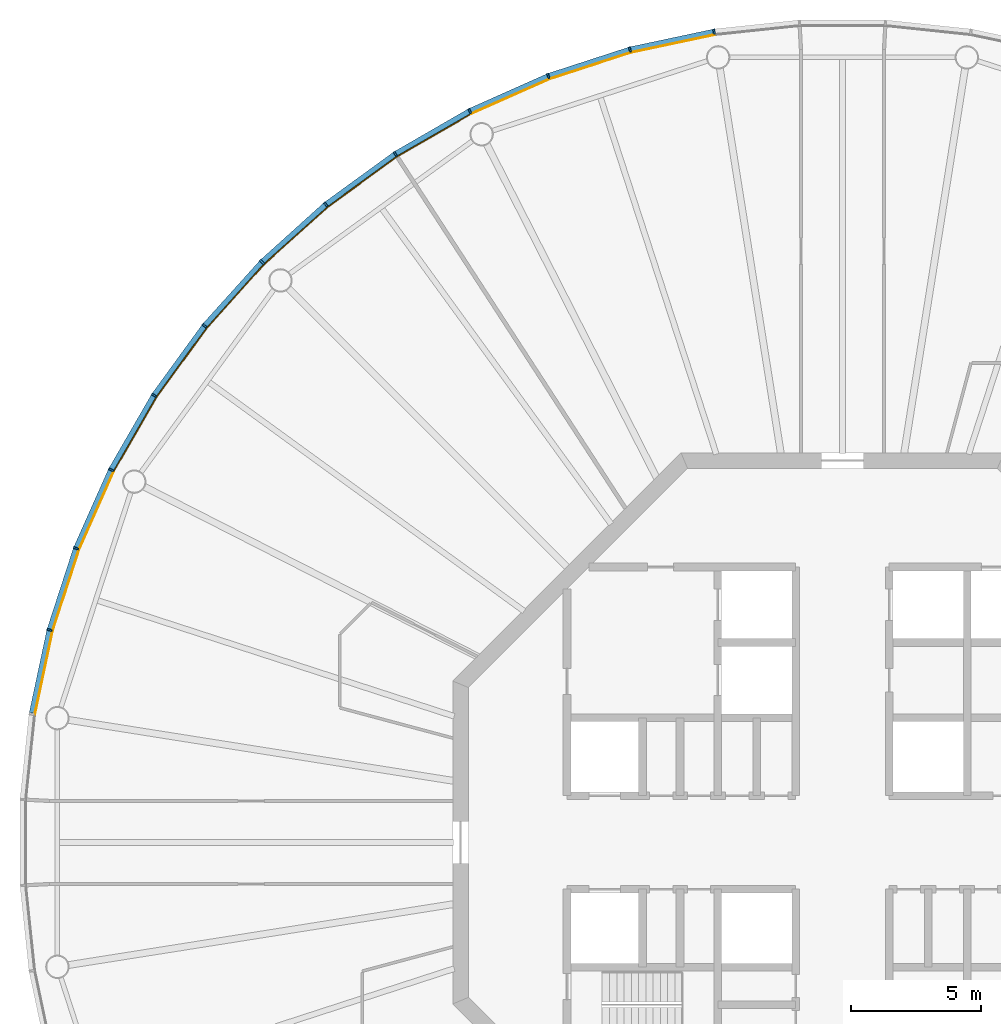
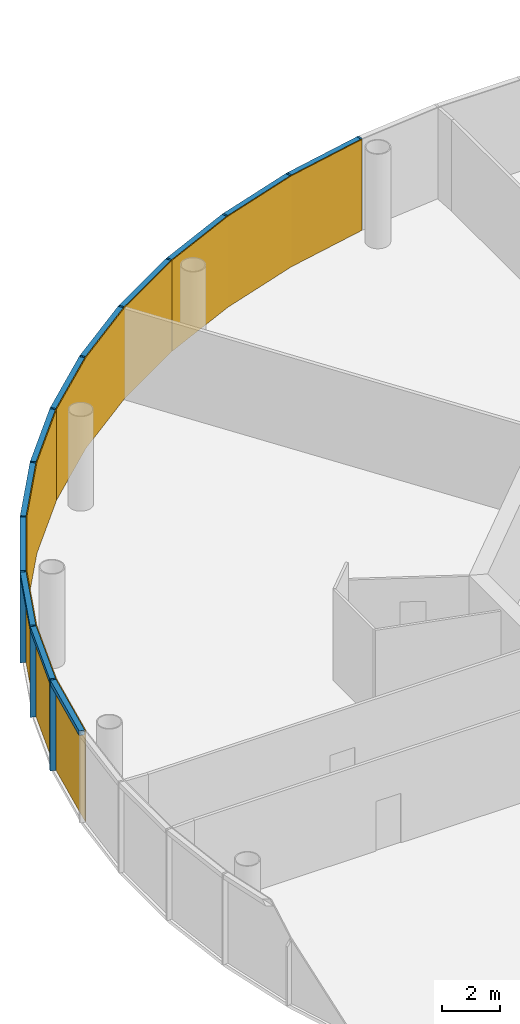
# One storey, part 10 of 13: 24 members, 4 curtain walls.
"""IFC4 building model written with IfcOpenShell, lengths in metres."""

from ifc_helpers import new_model, si_unit, direction, frame, origin, origin_2d, place, context, subcontext, project, spatial, polyline, rectangle, outline, extrude, material, layer, layer_set, material_profile, profile_set, type_object, element, aggregate, save


model = new_model("IFC4")

# Units and contexts
model_context = context("Model", 3, precision=1e-05, world=origin(), true_north=direction((0.0, 1.0)))
body_context = subcontext(model_context, "Body", "Model", "MODEL_VIEW")
ifc_project = project(units=[si_unit("LENGTHUNIT", "METRE"), si_unit("AREAUNIT", "SQUARE_METRE"), si_unit("VOLUMEUNIT", "CUBIC_METRE"), si_unit("PLANEANGLEUNIT", "RADIAN"), si_unit("MASSUNIT", "GRAM", prefix="KILO")], contexts=[model_context])

# Member
ifc_material_1 = material(Name="Anodised aluminium", Category="aluminium")
ifc_material_profile_1 = material_profile(ifc_material_1, rectangle(XDim=0.070068359375, YDim=0.205078125, at=origin_2d()), Name="Mullion 70 x 205 mm anodised aluminium")
ifc_profile_set_1 = profile_set([ifc_material_profile_1], Name="Anodised aluminium")
member_type_1 = type_object("IfcMemberType", Name="Mullion 70 x 205 mm anodised aluminium", PredefinedType="MULLION", material=ifc_profile_set_1)
site_placement = place(None, origin())
building_placement = place(site_placement, origin())
storey_placement = place(building_placement, frame((0.0, 0.0, 344.0)))
member_1_placement = place(storey_placement, frame((85.056396484375, 111.21337890625, 0.0), z_axis=(0.0, 0.0, 1.0), x_axis=(-0.987688340595, -0.15643446504, 0.0)))
member_1 = element("IfcMember", 1, at=member_1_placement, type_object=member_type_1, Name="MULLION L79-15", PredefinedType="MULLION", context=body_context, shape_type="SweptSolid", body=[
    extrude(rectangle(XDim=0.070068359375, YDim=0.205078125, at=origin_2d()), origin(), (0.0, 0.0, 1.0), 3.85009765625),
])

member_2_placement = place(storey_placement, frame((81.820556640625, 110.525634765625, 0.0), z_axis=(0.0, 0.0, 1.0), x_axis=(-0.965925826289, -0.258819045103, 0.0)))
member_2 = element("IfcMember", 2, at=member_2_placement, type_object=member_type_1, Name="MULLION L79-16", PredefinedType="MULLION", context=body_context, shape_type="SweptSolid", body=[
    extrude(rectangle(XDim=0.070068359375, YDim=0.205078125, at=origin_2d()), origin(), (0.0, 0.0, 1.0), 3.85009765625),
])

member_3_placement = place(storey_placement, frame((78.674560546875, 109.50341796875, 0.0), z_axis=(0.0, 0.0, 1.0), x_axis=(-0.933580426497, -0.358367949545, 0.0)))
member_3 = element("IfcMember", 3, at=member_3_placement, type_object=member_type_1, Name="MULLION L79-17", PredefinedType="MULLION", context=body_context, shape_type="SweptSolid", body=[
    extrude(rectangle(XDim=0.070068359375, YDim=0.205078125, at=origin_2d()), origin(), (0.0, 0.0, 1.0), 3.85009765625),
])

member_4_placement = place(storey_placement, frame((75.65283203125, 108.157958984375, 0.0), z_axis=(0.0, 0.0, 1.0), x_axis=(-0.891006524188, -0.45399049974, 0.0)))
member_4 = element("IfcMember", 4, at=member_4_placement, type_object=member_type_1, Name="MULLION L79-18", PredefinedType="MULLION", context=body_context, shape_type="SweptSolid", body=[
    extrude(rectangle(XDim=0.070068359375, YDim=0.205078125, at=origin_2d()), origin(), (0.0, 0.0, 1.0), 3.85009765625),
])

member_5_placement = place(storey_placement, frame((72.7880859375, 106.504150390625, 0.0), z_axis=(0.0, 0.0, 1.0), x_axis=(-0.838670567945, -0.544639035015, 0.0)))
member_5 = element("IfcMember", 5, at=member_5_placement, type_object=member_type_1, Name="MULLION L79-19", PredefinedType="MULLION", context=body_context, shape_type="SweptSolid", body=[
    extrude(rectangle(XDim=0.070068359375, YDim=0.205078125, at=origin_2d()), origin(), (0.0, 0.0, 1.0), 3.85009765625),
])

member_6_placement = place(storey_placement, frame((70.11181640625, 104.559814453125, 0.0), z_axis=(0.0, 0.0, 1.0), x_axis=(-0.777145961457, -0.62932039105, 0.0)))
member_6 = element("IfcMember", 6, at=member_6_placement, type_object=member_type_1, Name="MULLION L79-20", PredefinedType="MULLION", context=body_context, shape_type="SweptSolid", body=[
    extrude(rectangle(XDim=0.070068359375, YDim=0.205078125, at=origin_2d()), origin(), (0.0, 0.0, 1.0), 3.85009765625),
])

member_7_placement = place(storey_placement, frame((67.653564453125, 102.346435546875, 0.0), z_axis=(0.0, 0.0, 1.0), x_axis=(-0.707106781187, -0.707106781187, 0.0)))
member_7 = element("IfcMember", 7, at=member_7_placement, type_object=member_type_1, Name="MULLION L79-21", PredefinedType="MULLION", context=body_context, shape_type="SweptSolid", body=[
    extrude(rectangle(XDim=0.070068359375, YDim=0.205078125, at=origin_2d()), origin(), (0.0, 0.0, 1.0), 3.85009765625),
])

member_8_placement = place(storey_placement, frame((65.440185546875, 99.88818359375, 0.0), z_axis=(0.0, 0.0, 1.0), x_axis=(-0.62932039105, -0.777145961457, 0.0)))
member_8 = element("IfcMember", 8, at=member_8_placement, type_object=member_type_1, Name="MULLION L79-22", PredefinedType="MULLION", context=body_context, shape_type="SweptSolid", body=[
    extrude(rectangle(XDim=0.070068359375, YDim=0.205078125, at=origin_2d()), origin(), (0.0, 0.0, 1.0), 3.85009765625),
])

member_9_placement = place(storey_placement, frame((63.495849609375, 97.2119140625, 0.0), z_axis=(0.0, 0.0, 1.0), x_axis=(-0.544639035015, -0.838670567945, 0.0)))
member_9 = element("IfcMember", 9, at=member_9_placement, type_object=member_type_1, Name="MULLION L79-23", PredefinedType="MULLION", context=body_context, shape_type="SweptSolid", body=[
    extrude(rectangle(XDim=0.070068359375, YDim=0.205078125, at=origin_2d()), origin(), (0.0, 0.0, 1.0), 3.85009765625),
])

member_10_placement = place(storey_placement, frame((61.842041015625, 94.34716796875, 0.0), z_axis=(0.0, 0.0, 1.0), x_axis=(-0.45399049974, -0.891006524188, 0.0)))
member_10 = element("IfcMember", 10, at=member_10_placement, type_object=member_type_1, Name="MULLION L79-24", PredefinedType="MULLION", context=body_context, shape_type="SweptSolid", body=[
    extrude(rectangle(XDim=0.070068359375, YDim=0.205078125, at=origin_2d()), origin(), (0.0, 0.0, 1.0), 3.85009765625),
])

member_11_placement = place(storey_placement, frame((60.49658203125, 91.325439453125, 0.0), z_axis=(0.0, 0.0, 1.0), x_axis=(-0.358367949545, -0.933580426497, 0.0)))
member_11 = element("IfcMember", 11, at=member_11_placement, type_object=member_type_1, Name="MULLION L79-25", PredefinedType="MULLION", context=body_context, shape_type="SweptSolid", body=[
    extrude(rectangle(XDim=0.070068359375, YDim=0.205078125, at=origin_2d()), origin(), (0.0, 0.0, 1.0), 3.85009765625),
])

member_12_placement = place(storey_placement, frame((59.474365234375, 88.179443359375, 0.0), z_axis=(0.0, 0.0, 1.0), x_axis=(-0.258819045103, -0.965925826289, 0.0)))
member_12 = element("IfcMember", 12, at=member_12_placement, type_object=member_type_1, Name="MULLION L79-26", PredefinedType="MULLION", context=body_context, shape_type="SweptSolid", body=[
    extrude(rectangle(XDim=0.070068359375, YDim=0.205078125, at=origin_2d()), origin(), (0.0, 0.0, 1.0), 3.85009765625),
])

ifc_material_2 = material(Name="Anodised aluminium", Category="aluminium")
ifc_material_profile_2 = material_profile(ifc_material_2, rectangle(XDim=0.205078125, YDim=0.195068359375, at=origin_2d()), Name="Transom 195 x 205 mm anodised aluminium")
ifc_profile_set_2 = profile_set([ifc_material_profile_2], Name="Anodised aluminium")
member_type_2 = type_object("IfcMemberType", Name="Transom 195 x 205 mm anodised aluminium", PredefinedType="USERDEFINED", material=ifc_profile_set_2)
member_13_placement = place(storey_placement, frame((85.016845703125, 111.205078125, 3.75244140625), z_axis=(-0.978153082647, -0.207885898771, 0.0), x_axis=(0.207885898771, -0.978153082647, 0.0)))
member_13 = element("IfcMember", 13, at=member_13_placement, type_object=member_type_2, Name="TRANSOM L79-15", ObjectType="TRANSOM", PredefinedType="USERDEFINED", context=body_context, shape_type="SweptSolid", body=[
    extrude(rectangle(XDim=0.205078125, YDim=0.195068359375, at=origin_2d()), origin(), (0.0, 0.0, 1.0), 3.227294921875),
])

member_14_placement = place(storey_placement, frame((81.7822265625, 110.513427734375, 3.75244140625), z_axis=(-0.951046855117, -0.309046726844, 0.0), x_axis=(0.309046726844, -0.951046855117, 0.0)))
member_14 = element("IfcMember", 14, at=member_14_placement, type_object=member_type_2, Name="TRANSOM L79-16", ObjectType="TRANSOM", PredefinedType="USERDEFINED", context=body_context, shape_type="SweptSolid", body=[
    extrude(rectangle(XDim=0.205078125, YDim=0.195068359375, at=origin_2d()), origin(), (0.0, 0.0, 1.0), 3.22705078125),
])

member_15_placement = place(storey_placement, frame((78.6376953125, 109.4873046875, 3.75244140625), z_axis=(-0.913521178731, -0.406791170024, 0.0), x_axis=(0.406791170024, -0.913521178731, 0.0)))
member_15 = element("IfcMember", 15, at=member_15_placement, type_object=member_type_2, Name="TRANSOM L79-17", ObjectType="TRANSOM", PredefinedType="USERDEFINED", context=body_context, shape_type="SweptSolid", body=[
    extrude(rectangle(XDim=0.205078125, YDim=0.195068359375, at=origin_2d()), origin(), (0.0, 0.0, 1.0), 3.22705078125),
])

member_16_placement = place(storey_placement, frame((75.61767578125, 108.137939453125, 3.75244140625), z_axis=(-0.866023062494, -0.500004055213, 0.0), x_axis=(0.500004055213, -0.866023062494, 0.0)))
member_16 = element("IfcMember", 16, at=member_16_placement, type_object=member_type_2, Name="TRANSOM L79-18", ObjectType="TRANSOM", PredefinedType="USERDEFINED", context=body_context, shape_type="SweptSolid", body=[
    extrude(rectangle(XDim=0.205078125, YDim=0.195068359375, at=origin_2d()), origin(), (0.0, 0.0, 1.0), 3.22705078125),
])

member_17_placement = place(storey_placement, frame((72.75537109375, 106.48046875, 3.75244140625), z_axis=(-0.809004252048, -0.587802790201, 0.0), x_axis=(0.587802790201, -0.809004252048, 0.0)))
member_17 = element("IfcMember", 17, at=member_17_placement, type_object=member_type_2, Name="TRANSOM L79-19", ObjectType="TRANSOM", PredefinedType="USERDEFINED", context=body_context, shape_type="SweptSolid", body=[
    extrude(rectangle(XDim=0.205078125, YDim=0.195068359375, at=origin_2d()), origin(), (0.0, 0.0, 1.0), 3.227294921875),
])

member_18_placement = place(storey_placement, frame((70.081787109375, 104.532958984375, 3.75244140625), z_axis=(-0.743132370743, -0.669144438484, 0.0), x_axis=(0.669144438484, -0.743132370743, 0.0)))
member_18 = element("IfcMember", 18, at=member_18_placement, type_object=member_type_2, Name="TRANSOM L79-20", ObjectType="TRANSOM", PredefinedType="USERDEFINED", context=body_context, shape_type="SweptSolid", body=[
    extrude(rectangle(XDim=0.205078125, YDim=0.195068359375, at=origin_2d()), origin(), (0.0, 0.0, 1.0), 3.22705078125),
])

member_19_placement = place(storey_placement, frame((67.62646484375, 102.31640625, 3.75244140625), z_axis=(-0.669144438484, -0.743132370743, 0.0), x_axis=(0.743132370743, -0.669144438484, 0.0)))
member_19 = element("IfcMember", 19, at=member_19_placement, type_object=member_type_2, Name="TRANSOM L79-21", ObjectType="TRANSOM", PredefinedType="USERDEFINED", context=body_context, shape_type="SweptSolid", body=[
    extrude(rectangle(XDim=0.205078125, YDim=0.195068359375, at=origin_2d()), origin(), (0.0, 0.0, 1.0), 3.22705078125),
])

member_20_placement = place(storey_placement, frame((65.41650390625, 99.85546875, 3.75244140625), z_axis=(-0.587802790201, -0.809004252048, 0.0), x_axis=(0.809004252048, -0.587802790201, 0.0)))
member_20 = element("IfcMember", 20, at=member_20_placement, type_object=member_type_2, Name="TRANSOM L79-22", ObjectType="TRANSOM", PredefinedType="USERDEFINED", context=body_context, shape_type="SweptSolid", body=[
    extrude(rectangle(XDim=0.205078125, YDim=0.195068359375, at=origin_2d()), origin(), (0.0, 0.0, 1.0), 3.227294921875),
])

member_21_placement = place(storey_placement, frame((63.4755859375, 97.177001953125, 3.75244140625), z_axis=(-0.500004055213, -0.866023062494, 0.0), x_axis=(0.866023062494, -0.500004055213, 0.0)))
member_21 = element("IfcMember", 21, at=member_21_placement, type_object=member_type_2, Name="TRANSOM L79-23", ObjectType="TRANSOM", PredefinedType="USERDEFINED", context=body_context, shape_type="SweptSolid", body=[
    extrude(rectangle(XDim=0.205078125, YDim=0.195068359375, at=origin_2d()), origin(), (0.0, 0.0, 1.0), 3.22705078125),
])

member_22_placement = place(storey_placement, frame((61.825439453125, 94.310302734375, 3.75244140625), z_axis=(-0.406791170024, -0.913521178731, 0.0), x_axis=(0.913521178731, -0.406791170024, 0.0)))
member_22 = element("IfcMember", 22, at=member_22_placement, type_object=member_type_2, Name="TRANSOM L79-24", ObjectType="TRANSOM", PredefinedType="USERDEFINED", context=body_context, shape_type="SweptSolid", body=[
    extrude(rectangle(XDim=0.205078125, YDim=0.195068359375, at=origin_2d()), origin(), (0.0, 0.0, 1.0), 3.22705078125),
])

member_23_placement = place(storey_placement, frame((60.48388671875, 91.286865234375, 3.75244140625), z_axis=(-0.309046726844, -0.951046855117, 0.0), x_axis=(0.951046855117, -0.309046726844, 0.0)))
member_23 = element("IfcMember", 23, at=member_23_placement, type_object=member_type_2, Name="TRANSOM L79-25", ObjectType="TRANSOM", PredefinedType="USERDEFINED", context=body_context, shape_type="SweptSolid", body=[
    extrude(rectangle(XDim=0.205078125, YDim=0.195068359375, at=origin_2d()), origin(), (0.0, 0.0, 1.0), 3.22705078125),
])

member_24_placement = place(storey_placement, frame((59.4658203125, 88.139892578125, 3.75244140625), z_axis=(-0.207885898771, -0.978153082647, 0.0), x_axis=(0.978153082647, -0.207885898771, 0.0)))
member_24 = element("IfcMember", 24, at=member_24_placement, type_object=member_type_2, Name="TRANSOM L79-26", ObjectType="TRANSOM", PredefinedType="USERDEFINED", context=body_context, shape_type="SweptSolid", body=[
    extrude(rectangle(XDim=0.205078125, YDim=0.195068359375, at=origin_2d()), origin(), (0.0, 0.0, 1.0), 3.227294921875),
])

# Site, building, storey
site = spatial("IfcSite", under=ifc_project, at=site_placement, CompositionType="ELEMENT")
building = spatial("IfcBuilding", under=site, at=building_placement, Name="Entoto Ring Tower", CompositionType="ELEMENT")
storey = spatial("IfcBuildingStorey", under=building, at=storey_placement, Name="L79", CompositionType="ELEMENT", Elevation=344.0)

# Curtain wall
ifc_material_3 = material(Name="Clear low-iron glass", Category="glass")
ifc_layer = layer(ifc_material_3, 0.035888671875)
ifc_layer_set = layer_set([ifc_layer], Name="Clear low-iron glass")
curtain_wall_type = type_object("IfcCurtainWallType", Name="Curtain wall system CW6 glazing 36 mm", PredefinedType="NOTDEFINED", material=ifc_layer_set)
curtain_wall_1_placement = place(storey_placement, origin())
curtain_wall_1 = element("IfcCurtainWall", 25, at=curtain_wall_1_placement, inside=storey, type_object=curtain_wall_type, Name="CW6 L79-06", PredefinedType="NOTDEFINED", context=body_context, shape_type="SweptSolid", body=[
    extrude(outline(polyline([(85.072265625, 111.1123046875), (81.84716796875, 110.4267578125), (78.71142578125, 109.40771484375), (75.69921875, 108.066650390625), (75.715576171875, 108.03466796875), (78.724365234375, 109.3740234375), (81.8564453125, 110.391845703125), (85.077880859375, 111.07666015625), (85.072265625, 111.1123046875)])), origin(), (0.0, 0.0, 1.0), 3.85009765625),
])

aggregate(curtain_wall_1, [member_1, member_2, member_3, member_13, member_14, member_15])

curtain_wall_2_placement = place(storey_placement, origin())
curtain_wall_2 = element("IfcCurtainWall", 26, at=curtain_wall_2_placement, inside=storey, type_object=curtain_wall_type, Name="CW6 L79-07", PredefinedType="NOTDEFINED", context=body_context, shape_type="SweptSolid", body=[
    extrude(outline(polyline([(75.69921875, 108.066650390625), (72.84375, 106.418212890625), (70.176513671875, 104.47998046875), (67.72607421875, 102.27392578125), (67.751708984375, 102.248291015625), (70.198974609375, 104.4521484375), (72.863525390625, 106.387939453125), (75.715576171875, 108.03466796875), (75.69921875, 108.066650390625)])), origin(), (0.0, 0.0, 1.0), 3.85009765625),
])

aggregate(curtain_wall_2, [member_4, member_5, member_6, member_16, member_17, member_18])

curtain_wall_3_placement = place(storey_placement, origin())
curtain_wall_3 = element("IfcCurtainWall", 27, at=curtain_wall_3_placement, inside=storey, type_object=curtain_wall_type, Name="CW6 L79-08", PredefinedType="NOTDEFINED", context=body_context, shape_type="SweptSolid", body=[
    extrude(outline(polyline([(67.72607421875, 102.27392578125), (65.52001953125, 99.823486328125), (63.581787109375, 97.15625), (61.933349609375, 94.30078125), (61.96533203125, 94.284423828125), (63.612060546875, 97.136474609375), (65.5478515625, 99.801025390625), (67.751708984375, 102.248291015625), (67.72607421875, 102.27392578125)])), origin(), (0.0, 0.0, 1.0), 3.85009765625),
])

aggregate(curtain_wall_3, [member_7, member_8, member_9, member_19, member_20, member_21])

curtain_wall_4_placement = place(storey_placement, origin())
curtain_wall_4 = element("IfcCurtainWall", 28, at=curtain_wall_4_placement, inside=storey, type_object=curtain_wall_type, Name="CW6 L79-09", PredefinedType="NOTDEFINED", context=body_context, shape_type="SweptSolid", body=[
    extrude(outline(polyline([(61.933349609375, 94.30078125), (60.59228515625, 91.28857421875), (59.5732421875, 88.15283203125), (58.8876953125, 84.927734375), (58.92333984375, 84.922119140625), (59.608154296875, 88.1435546875), (60.6259765625, 91.275634765625), (61.96533203125, 94.284423828125), (61.933349609375, 94.30078125)])), origin(), (0.0, 0.0, 1.0), 3.85009765625),
])

aggregate(curtain_wall_4, [member_10, member_11, member_12, member_22, member_23, member_24])

save(model, "model.ifc")
